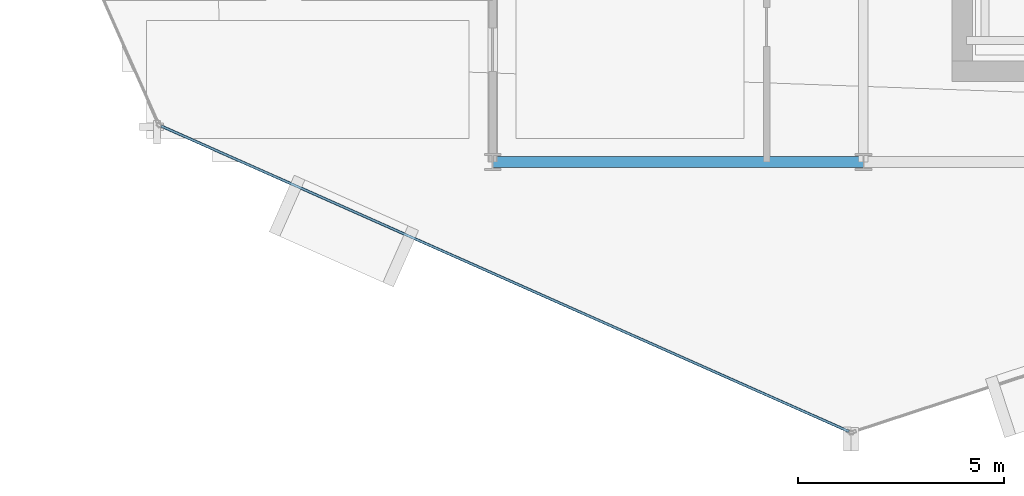
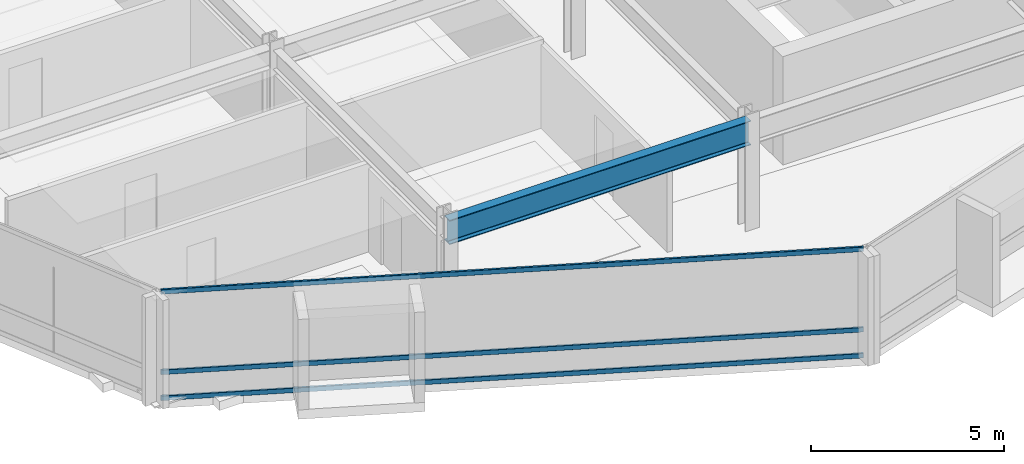
# One storey, part 3 of 27: 3 members, 1 beam, 1 element without a shape of its own.
"""IFC4 building model written with IfcOpenShell, lengths in metres."""

from ifc_helpers import new_model, si_unit, direction, frame, origin, origin_2d, place, context, subcontext, project, spatial, hollow_rectangle, i_section, extrude, material, layer, layer_set, material_profile, profile_set, type_object, element, aggregate, save


model = new_model("IFC4")

# Units and contexts
model_context = context("Model", 3, precision=1e-05, world=origin(), true_north=direction((0.0, 1.0)))
body_context = subcontext(model_context, "Body", "Model", "MODEL_VIEW")
ifc_project = project(units=[si_unit("LENGTHUNIT", "METRE"), si_unit("AREAUNIT", "SQUARE_METRE"), si_unit("VOLUMEUNIT", "CUBIC_METRE"), si_unit("PLANEANGLEUNIT", "RADIAN"), si_unit("MASSUNIT", "GRAM", prefix="KILO")], contexts=[model_context])

# Site, building, storey
site_placement = place(None, origin())
site = spatial("IfcSite", under=ifc_project, at=site_placement, CompositionType="ELEMENT")
building_placement = place(site_placement, origin())
building = spatial("IfcBuilding", under=site, at=building_placement, Name="Solvaryn Broadcast Tower", CompositionType="ELEMENT")
storey_placement = place(building_placement, frame((0.0, 0.0, 177.89990234375)))
storey = spatial("IfcBuildingStorey", under=building, at=storey_placement, Name="L44", CompositionType="ELEMENT", Elevation=177.89990234375)

# Beam
ifc_material_1 = material(Name="Steel ASTM A992 Grade 50", Category="steel")
ifc_material_profile_1 = material_profile(ifc_material_1, i_section(OverallWidth=0.26708984375, OverallDepth=0.76611328125, WebThickness=0.014892578125, FlangeThickness=0.023681640625, FilletRadius=0.01806640625, at=origin_2d()))
ifc_profile_set_1 = profile_set([ifc_material_profile_1], Name="Steel ASTM A992 Grade 50")
beam_type = type_object("IfcBeamType", Name="BM-SP2-W30X124", PredefinedType="USERDEFINED", material=ifc_profile_set_1)
beam_placement = place(storey_placement, frame((18.0, 9.0, 3.037109375), z_axis=(1.0, 0.0, 0.0), x_axis=(0.0, 1.0, 0.0)))
element("IfcBeam", 1, at=beam_placement, inside=storey, type_object=beam_type, Name="L44 Spandrel Beam X (18-27 @ Y=9)", ObjectType="SPANDREL", PredefinedType="USERDEFINED", context=body_context, shape_type="SweptSolid", body=[
    extrude(i_section(OverallWidth=0.26708984375, OverallDepth=0.76611328125, WebThickness=0.014892578125, FlangeThickness=0.023681640625, FilletRadius=0.01806640625, at=origin_2d()), origin(), (0.0, 0.0, 1.0), 9.0),
])

# Curtain wall, members
ifc_material_2 = material(Name="Aluminium and Terracotta Unitised Curtain Wall", Category="masonry")
ifc_layer = layer(ifc_material_2, 0.199951171875)
ifc_layer_set = layer_set([ifc_layer], Name="CW-SYS2-LOWMID")
curtain_wall_type = type_object("IfcCurtainWallType", Name="CW-SYS2-LOWMID", PredefinedType="NOTDEFINED", material=ifc_layer_set)
curtain_wall_placement = place(storey_placement, origin())
curtain_wall = element("IfcCurtainWall", 2, at=curtain_wall_placement, inside=storey, type_object=curtain_wall_type, Name="L44 Curtain Wall DR3", PredefinedType="NOTDEFINED")
ifc_material_3 = material(Name="Anodised Aluminium 6063-T6", Category="aluminium")
ifc_material_profile_2 = material_profile(ifc_material_3, hollow_rectangle(XDim=0.06494140625, YDim=0.14990234375, WallThickness=0.00390625, InnerFilletRadius=0.00390625, OuterFilletRadius=0.008056640625, at=origin_2d()))
ifc_profile_set_2 = profile_set([ifc_material_profile_2], Name="Anodised Aluminium 6063-T6")
member_type = type_object("IfcMemberType", Name="CW-TRN-150", PredefinedType="USERDEFINED", material=ifc_profile_set_2)
member_1_placement = place(storey_placement, frame((9.952880859375, 9.87353515625, 0.030029296875), z_axis=(0.913916761992, -0.405901653299, 0.0), x_axis=(0.405901653299, 0.913916761992, 0.0)))
member_1 = element("IfcMember", 3, at=member_1_placement, type_object=member_type, Name="CWS2 transom 1.1", ObjectType="TRANSOM", PredefinedType="USERDEFINED", context=body_context, shape_type="SweptSolid", body=[
    extrude(hollow_rectangle(XDim=0.06494140625, YDim=0.14990234375, WallThickness=0.00390625, InnerFilletRadius=0.00390625, OuterFilletRadius=0.008056640625, at=origin_2d()), origin(), (0.0, 0.0, 1.0), 18.27099609375),
])
member_2_placement = place(storey_placement, frame((9.952880859375, 9.87353515625, 0.85009765625), z_axis=(0.913916761992, -0.405901653299, 0.0), x_axis=(0.405901653299, 0.913916761992, 0.0)))
member_2 = element("IfcMember", 4, at=member_2_placement, type_object=member_type, Name="CWS2 transom 1.2", ObjectType="TRANSOM", PredefinedType="USERDEFINED", context=body_context, shape_type="SweptSolid", body=[
    extrude(hollow_rectangle(XDim=0.06494140625, YDim=0.14990234375, WallThickness=0.00390625, InnerFilletRadius=0.00390625, OuterFilletRadius=0.008056640625, at=origin_2d()), origin(), (0.0, 0.0, 1.0), 18.27099609375),
])
member_3_placement = place(storey_placement, frame((9.952880859375, 9.87353515625, 3.39013671875), z_axis=(0.913916761992, -0.405901653299, 0.0), x_axis=(0.405901653299, 0.913916761992, 0.0)))
member_3 = element("IfcMember", 5, at=member_3_placement, type_object=member_type, Name="CWS2 transom 1.3", ObjectType="TRANSOM", PredefinedType="USERDEFINED", context=body_context, shape_type="SweptSolid", body=[
    extrude(hollow_rectangle(XDim=0.06494140625, YDim=0.14990234375, WallThickness=0.00390625, InnerFilletRadius=0.00390625, OuterFilletRadius=0.008056640625, at=origin_2d()), origin(), (0.0, 0.0, 1.0), 18.27099609375),
])
aggregate(curtain_wall, [member_1, member_2, member_3])

save(model, "model.ifc")
